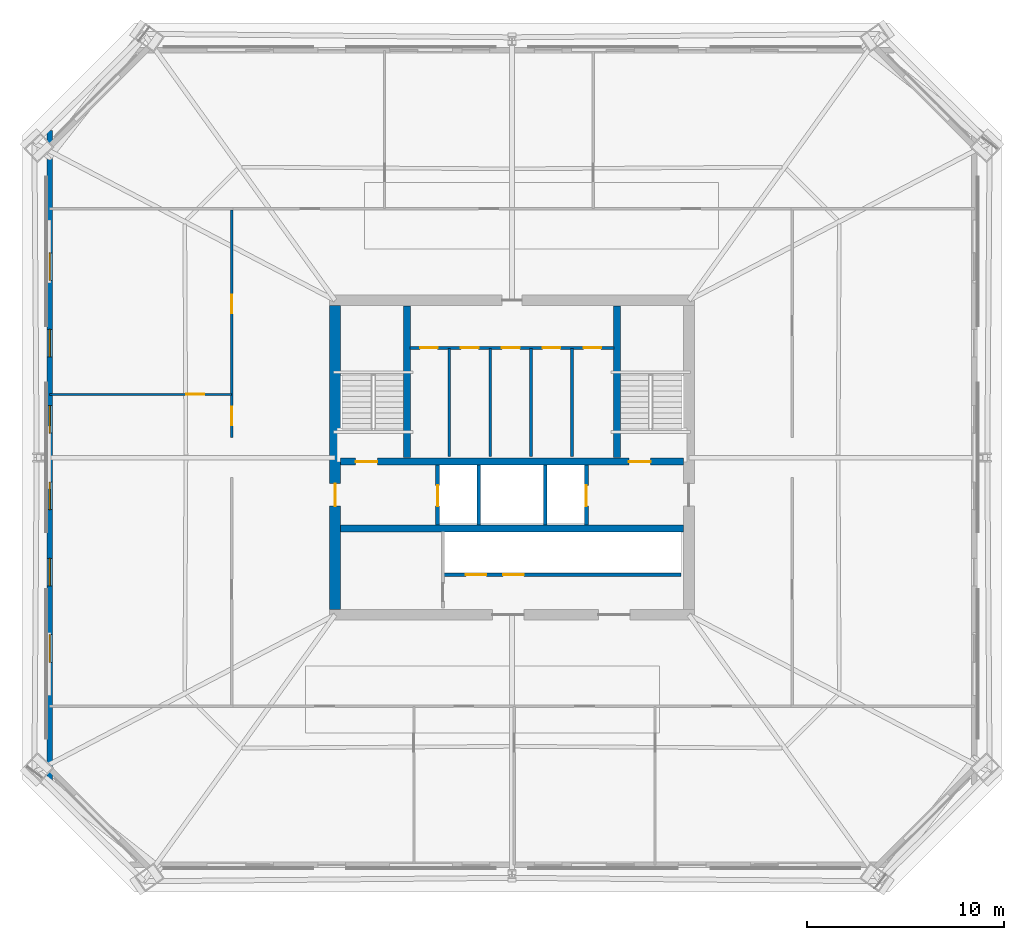
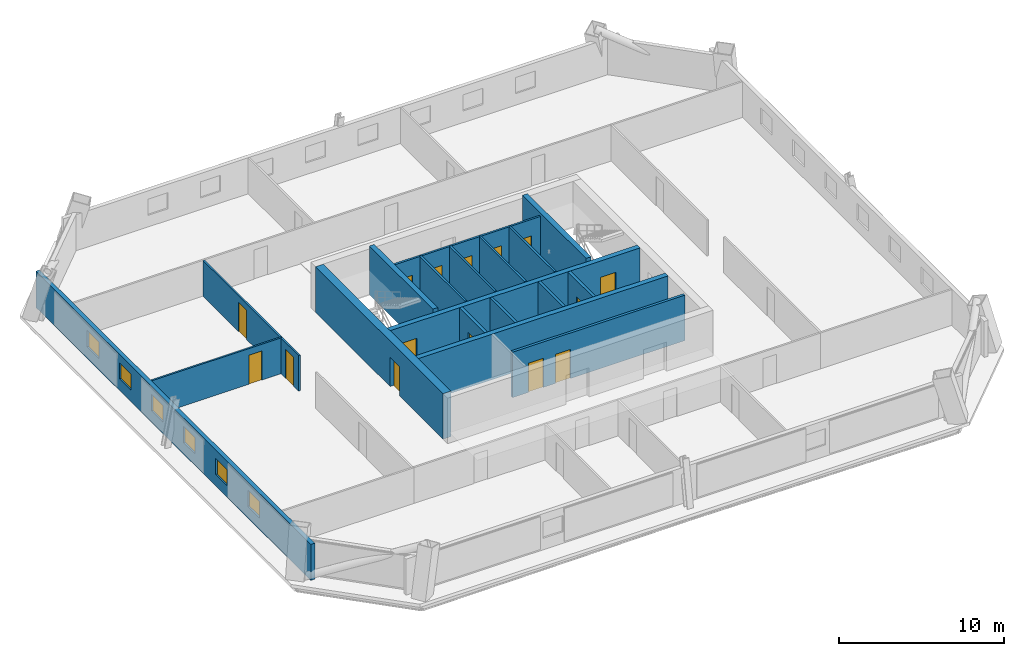
# One storey, part 3 of 7: 18 walls, 15 doors, 6 windows, 21 openings.
"""IFC4 building model written with IfcOpenShell, lengths in metres."""

from ifc_helpers import new_model, si_unit, direction, frame, frame_2d, origin, place, context, subcontext, project, spatial, rectangle, extrude, material, layer, layer_set, type_object, element, fill, save


model = new_model("IFC4")

# Units and contexts
model_context = context("Model", 3, precision=1e-05, world=origin(), true_north=direction((0.0, 1.0)))
body_context = subcontext(model_context, "Body", "Model", "MODEL_VIEW")
ifc_project = project(units=[si_unit("LENGTHUNIT", "METRE"), si_unit("AREAUNIT", "SQUARE_METRE"), si_unit("VOLUMEUNIT", "CUBIC_METRE"), si_unit("PLANEANGLEUNIT", "RADIAN"), si_unit("MASSUNIT", "GRAM", prefix="KILO")], contexts=[model_context])

# Site, building, storey
site_placement = place(None, origin())
site = spatial("IfcSite", under=ifc_project, at=site_placement, CompositionType="ELEMENT")
building_placement = place(site_placement, origin())
building = spatial("IfcBuilding", under=site, at=building_placement, Name="Caelvoria Tower", CompositionType="ELEMENT")
storey_placement = place(building_placement, frame((0.0, 0.0, 102.39990234375)))
storey = spatial("IfcBuildingStorey", under=building, at=storey_placement, Name="L26", CompositionType="ELEMENT", Elevation=102.39990234375)

# Wall, openings, doors
ifc_material_1 = material(Name="Concrete C50/60", Category="concrete")
ifc_layer_1 = layer(ifc_material_1, 0.35009765625, Name="Concrete C50/60")
ifc_layer_set_1 = layer_set([ifc_layer_1], Name="Core Internal Shear Wall 350 - Concrete C50/60")
wall_type_1 = type_object("IfcWallType", Name="Core Internal Shear Wall 350", PredefinedType="SHEAR", material=ifc_layer_set_1)
wall_1_placement = place(storey_placement, frame((37.27490234375, 31.800048828125, 0.0), z_axis=(0.0, 0.0, 1.0), x_axis=(1.0, 0.0, 0.0)))
wall_1 = element("IfcWall", 1, at=wall_1_placement, inside=storey, type_object=wall_type_1, Name="Core Shear Wall L26 M1", PredefinedType="SHEAR", context=body_context, shape_type="SweptSolid", body=[
    extrude(rectangle(XDim=17.4501953125, YDim=0.35009765625, at=frame_2d((8.72509765625, 0.0))), origin(), (0.0, 0.0, 1.0), 3.360107421875),
])
opening_1_placement = place(wall_1_placement, frame((0.77490234375, 0.0, 0.0)))
opening_1 = element("IfcOpeningElement", 2, at=opening_1_placement, cuts=wall_1, Name="Opening ID-01", PredefinedType="OPENING", context=body_context, shape_type="SweptSolid", body=[
    extrude(rectangle(XDim=1.10009765625, YDim=2.14990234375, at=frame_2d((0.550048828125, 1.074951171875))), frame((0.0, 0.18505859375, 0.0), z_axis=(0.0, -1.0, 0.0), x_axis=(1.0, 0.0, 0.0)), (0.0, 0.0, 1.0), 0.3701171875),
])
opening_2_placement = place(wall_1_placement, frame((14.675048828125, 0.0, 0.0)))
opening_2 = element("IfcOpeningElement", 3, at=opening_2_placement, cuts=wall_1, Name="Opening ID-01", PredefinedType="OPENING", context=body_context, shape_type="SweptSolid", body=[
    extrude(rectangle(XDim=1.10009765625, YDim=2.14990234375, at=frame_2d((0.550048828125, 1.074951171875))), frame((0.0, 0.18505859375, 0.0), z_axis=(0.0, -1.0, 0.0), x_axis=(1.0, 0.0, 0.0)), (0.0, 0.0, 1.0), 0.3701171875),
])
ifc_material_2 = material(Name="Painted Hollow Steel Fire Door", Category="steel")
door_type_1 = type_object("IfcDoorType", Name="Fire Door FD90S 1100x2150", OperationType="NOTDEFINED", PredefinedType="DOOR", material=ifc_material_2)
door_1_placement = place(opening_1_placement, origin())
door_1 = element("IfcDoor", 4, at=door_1_placement, inside=storey, type_object=door_type_1, Name="Core Door DR-L26-ST1", OperationType="SINGLE_SWING_LEFT", OverallHeight=2.14990234375, OverallWidth=1.10009765625, PredefinedType="DOOR", context=body_context, shape_type="SweptSolid", body=[
    extrude(rectangle(XDim=1.10009765625, YDim=2.14990234375, at=frame_2d((0.550048828125, 1.074951171875))), frame((0.0, 0.02490234375, 0.0), z_axis=(0.0, -1.0, 0.0), x_axis=(1.0, 0.0, 0.0)), (0.0, 0.0, 1.0), 0.050048828125),
])
fill(opening_1, door_1)
door_2_placement = place(opening_2_placement, origin())
door_2 = element("IfcDoor", 5, at=door_2_placement, inside=storey, type_object=door_type_1, Name="Core Door DR-L26-ST2", OperationType="SINGLE_SWING_RIGHT", OverallHeight=2.14990234375, OverallWidth=1.10009765625, PredefinedType="DOOR", context=body_context, shape_type="SweptSolid", body=[
    extrude(rectangle(XDim=1.10009765625, YDim=2.14990234375, at=frame_2d((0.550048828125, 1.074951171875))), frame((0.0, 0.02490234375, 0.0), z_axis=(0.0, -1.0, 0.0), x_axis=(1.0, 0.0, 0.0)), (0.0, 0.0, 1.0), 0.050048828125),
])
fill(opening_2, door_2)

# Walls
wall_2_placement = place(storey_placement, frame((37.27490234375, 28.39990234375, 0.0), z_axis=(0.0, 0.0, 1.0), x_axis=(1.0, 0.0, 0.0)))
element("IfcWall", 6, at=wall_2_placement, inside=storey, type_object=wall_type_1, Name="Core Shear Wall L26 M2", PredefinedType="SHEAR", context=body_context, shape_type="SweptSolid", body=[
    extrude(rectangle(XDim=17.4501953125, YDim=0.35009765625, at=frame_2d((8.72509765625, 0.0))), origin(), (0.0, 0.0, 1.0), 3.360107421875),
])
for number, where, z_axis, x_axis, name in (
    (7, (40.64990234375, 32.0, 0.0), (0.0, 0.0, 1.0), (0.0, 1.0, 0.0), "Interior Partition IW-L26-ST1E"),
    (8, (51.35009765625, 32.0, 0.0), (0.0, 0.0, 1.0), (0.0, 1.0, 0.0), "Interior Partition IW-L26-ST2W"),
):
    element("IfcWall", number, at=place(storey_placement, frame(where, z_axis=z_axis, x_axis=x_axis)), inside=storey, type_object=wall_type_1, Name=name, PredefinedType="SHEAR", context=body_context, shape_type="SweptSolid", body=[
        extrude(rectangle(XDim=7.699951171875, YDim=0.35009765625, at=frame_2d((3.85009765625, 0.0))), origin(), (0.0, 0.0, 1.0), 3.60009765625),
    ])
ifc_material_3 = material(Name="Moisture-Resistant Gypsum on Steel Stud", Category="steel")
ifc_layer_2 = layer(ifc_material_3, 0.139892578125, Name="Moisture-Resistant Gypsum on Steel Stud")
ifc_layer_set_2 = layer_set([ifc_layer_2], Name="Core Sanitary Acoustic Partition Wall 140 - Moisture-Resistant Gypsum on Steel Stud")
wall_type_2 = type_object("IfcWallType", Name="Core Sanitary Acoustic Partition Wall 140", PredefinedType="PARTITIONING", material=ifc_layer_set_2)
for number, where, z_axis, x_axis, name in (
    (9, (42.81005859375, 32.050048828125, 0.0), (0.0, 0.0, 1.0), (0.0, 1.0, 0.0), "Interior Partition IW-L26-C1V0"),
    (10, (44.889892578125, 32.050048828125, 0.0), (0.0, 0.0, 1.0), (0.0, 1.0, 0.0), "Interior Partition IW-L26-C1V1"),
    (11, (46.969970703125, 32.050048828125, 0.0), (0.0, 0.0, 1.0), (0.0, 1.0, 0.0), "Interior Partition IW-L26-C1V2"),
    (12, (49.050048828125, 32.050048828125, 0.0), (0.0, 0.0, 1.0), (0.0, 1.0, 0.0), "Interior Partition IW-L26-C1V3"),
):
    element("IfcWall", number, at=place(storey_placement, frame(where, z_axis=z_axis, x_axis=x_axis)), inside=storey, type_object=wall_type_2, Name=name, PredefinedType="PARTITIONING", context=body_context, shape_type="SweptSolid", body=[
        extrude(rectangle(XDim=5.5, YDim=0.139892578125, at=frame_2d((2.75, 0.0))), origin(), (0.0, 0.0, 1.0), 3.360107421875),
    ])

# Wall, openings, doors
wall_3_placement = place(storey_placement, frame((40.800048828125, 37.580078125, 0.0), z_axis=(0.0, 0.0, 1.0), x_axis=(1.0, 0.0, 0.0)))
wall_3 = element("IfcWall", 13, at=wall_3_placement, inside=storey, type_object=wall_type_2, Name="Interior Partition IW-L26-C1H", PredefinedType="PARTITIONING", context=body_context, shape_type="SweptSolid", body=[
    extrude(rectangle(XDim=10.39990234375, YDim=0.139892578125, at=frame_2d((5.199951171875, 0.0))), origin(), (0.0, 0.0, 1.0), 3.360107421875),
])
opening_3_placement = place(wall_3_placement, frame((0.52001953125, 0.0, 0.0)))
opening_3 = element("IfcOpeningElement", 14, at=opening_3_placement, cuts=wall_3, Name="Opening ID-06", PredefinedType="OPENING", context=body_context, shape_type="SweptSolid", body=[
    extrude(rectangle(XDim=0.89990234375, YDim=2.14990234375, at=frame_2d((0.449951171875, 1.074951171875))), frame((0.0, 0.079833984375, 0.0), z_axis=(0.0, -1.0, 0.0), x_axis=(1.0, 0.0, 0.0)), (0.0, 0.0, 1.0), 0.159912109375),
])
opening_4_placement = place(wall_3_placement, frame((2.60009765625, 0.0, 0.0)))
opening_4 = element("IfcOpeningElement", 15, at=opening_4_placement, cuts=wall_3, Name="Opening ID-06", PredefinedType="OPENING", context=body_context, shape_type="SweptSolid", body=[
    extrude(rectangle(XDim=0.89990234375, YDim=2.14990234375, at=frame_2d((0.449951171875, 1.074951171875))), frame((0.0, 0.079833984375, 0.0), z_axis=(0.0, -1.0, 0.0), x_axis=(1.0, 0.0, 0.0)), (0.0, 0.0, 1.0), 0.159912109375),
])
opening_5_placement = place(wall_3_placement, frame((4.679931640625, 0.0, 0.0)))
opening_5 = element("IfcOpeningElement", 16, at=opening_5_placement, cuts=wall_3, Name="Opening ID-07", PredefinedType="OPENING", context=body_context, shape_type="SweptSolid", body=[
    extrude(rectangle(XDim=0.919921875, YDim=2.14990234375, at=frame_2d((0.4599609375, 1.074951171875))), frame((0.0, 0.079833984375, 0.0), z_axis=(0.0, -1.0, 0.0), x_axis=(1.0, 0.0, 0.0)), (0.0, 0.0, 1.0), 0.159912109375),
])
opening_6_placement = place(wall_3_placement, frame((6.760009765625, 0.0, 0.0)))
opening_6 = element("IfcOpeningElement", 17, at=opening_6_placement, cuts=wall_3, Name="Opening ID-06", PredefinedType="OPENING", context=body_context, shape_type="SweptSolid", body=[
    extrude(rectangle(XDim=0.89990234375, YDim=2.14990234375, at=frame_2d((0.449951171875, 1.074951171875))), frame((0.0, 0.079833984375, 0.0), z_axis=(0.0, -1.0, 0.0), x_axis=(1.0, 0.0, 0.0)), (0.0, 0.0, 1.0), 0.159912109375),
])
opening_7_placement = place(wall_3_placement, frame((8.840087890625, 0.0, 0.0)))
opening_7 = element("IfcOpeningElement", 18, at=opening_7_placement, cuts=wall_3, Name="Opening ID-06", PredefinedType="OPENING", context=body_context, shape_type="SweptSolid", body=[
    extrude(rectangle(XDim=0.89990234375, YDim=2.14990234375, at=frame_2d((0.449951171875, 1.074951171875))), frame((0.0, 0.079833984375, 0.0), z_axis=(0.0, -1.0, 0.0), x_axis=(1.0, 0.0, 0.0)), (0.0, 0.0, 1.0), 0.159912109375),
])
ifc_material_4 = material(Name="Engineered Andean Oak Accessible Door", Category="wood")
door_type_2 = type_object("IfcDoorType", Name="Accessible WC Door 950x2150", OperationType="NOTDEFINED", PredefinedType="DOOR", material=ifc_material_4)
door_3_placement = place(opening_5_placement, origin())
door_3 = element("IfcDoor", 19, at=door_3_placement, inside=storey, type_object=door_type_2, Name="Interior Door DR-L26-C1-3", OperationType="SINGLE_SWING_LEFT", OverallHeight=2.14990234375, OverallWidth=0.919921875, PredefinedType="DOOR", context=body_context, shape_type="SweptSolid", body=[
    extrude(rectangle(XDim=0.919921875, YDim=2.14990234375, at=frame_2d((0.4599609375, 1.074951171875))), frame((0.0, 0.02490234375, 0.0), z_axis=(0.0, -1.0, 0.0), x_axis=(1.0, 0.0, 0.0)), (0.0, 0.0, 1.0), 0.050048828125),
])
fill(opening_5, door_3)
ifc_material_5 = material(Name="Engineered Andean Oak Veneer Door", Category="wood")
door_type_3 = type_object("IfcDoorType", Name="Interior Timber Door 900x2150", OperationType="NOTDEFINED", PredefinedType="DOOR", material=ifc_material_5)
door_4_placement = place(opening_3_placement, origin())
door_4 = element("IfcDoor", 20, at=door_4_placement, inside=storey, type_object=door_type_3, Name="Interior Door DR-L26-C1-1", OperationType="SINGLE_SWING_LEFT", OverallHeight=2.14990234375, OverallWidth=0.89990234375, PredefinedType="DOOR", context=body_context, shape_type="SweptSolid", body=[
    extrude(rectangle(XDim=0.89990234375, YDim=2.14990234375, at=frame_2d((0.449951171875, 1.074951171875))), frame((0.0, 0.02490234375, 0.0), z_axis=(0.0, -1.0, 0.0), x_axis=(1.0, 0.0, 0.0)), (0.0, 0.0, 1.0), 0.050048828125),
])
fill(opening_3, door_4)
door_5_placement = place(opening_4_placement, origin())
door_5 = element("IfcDoor", 21, at=door_5_placement, inside=storey, type_object=door_type_3, Name="Interior Door DR-L26-C1-2", OperationType="SINGLE_SWING_RIGHT", OverallHeight=2.14990234375, OverallWidth=0.89990234375, PredefinedType="DOOR", context=body_context, shape_type="SweptSolid", body=[
    extrude(rectangle(XDim=0.89990234375, YDim=2.14990234375, at=frame_2d((0.449951171875, 1.074951171875))), frame((0.0, 0.02490234375, 0.0), z_axis=(0.0, -1.0, 0.0), x_axis=(1.0, 0.0, 0.0)), (0.0, 0.0, 1.0), 0.050048828125),
])
fill(opening_4, door_5)
door_6_placement = place(opening_6_placement, origin())
door_6 = element("IfcDoor", 22, at=door_6_placement, inside=storey, type_object=door_type_3, Name="Interior Door DR-L26-C1-4", OperationType="SINGLE_SWING_RIGHT", OverallHeight=2.14990234375, OverallWidth=0.89990234375, PredefinedType="DOOR", context=body_context, shape_type="SweptSolid", body=[
    extrude(rectangle(XDim=0.89990234375, YDim=2.14990234375, at=frame_2d((0.449951171875, 1.074951171875))), frame((0.0, 0.02490234375, 0.0), z_axis=(0.0, -1.0, 0.0), x_axis=(1.0, 0.0, 0.0)), (0.0, 0.0, 1.0), 0.050048828125),
])
fill(opening_6, door_6)
door_7_placement = place(opening_7_placement, origin())
door_7 = element("IfcDoor", 23, at=door_7_placement, inside=storey, type_object=door_type_3, Name="Interior Door DR-L26-C1-5", OperationType="SINGLE_SWING_LEFT", OverallHeight=2.14990234375, OverallWidth=0.89990234375, PredefinedType="DOOR", context=body_context, shape_type="SweptSolid", body=[
    extrude(rectangle(XDim=0.89990234375, YDim=2.14990234375, at=frame_2d((0.449951171875, 1.074951171875))), frame((0.0, 0.02490234375, 0.0), z_axis=(0.0, -1.0, 0.0), x_axis=(1.0, 0.0, 0.0)), (0.0, 0.0, 1.0), 0.050048828125),
])
fill(opening_7, door_7)

# Wall, openings, windows
ifc_material_6 = material(Name="Precast Concrete C40/50 with Bronze Cladding", Category="concrete")
ifc_layer_3 = layer(ifc_material_6, 0.280029296875, Name="Precast Concrete C40/50 with Bronze Cladding")
ifc_layer_set_3 = layer_set([ifc_layer_3], Name="Exterior Precast Concrete C40/50 Bronze-Clad Facade Wall 280 - Precast Concrete C40/50 with Bronze Cladding")
wall_type_3 = type_object("IfcWallType", Name="Exterior Precast Concrete C40/50 Bronze-Clad Facade Wall 280", PredefinedType="STANDARD", material=ifc_layer_set_3)
wall_4_placement = place(storey_placement, frame((22.47998046875, 48.639892578125, 0.0), z_axis=(0.0, 0.0, 1.0), x_axis=(0.0, -1.0, 0.0)))
wall_4 = element("IfcWall", 24, at=wall_4_placement, inside=storey, type_object=wall_type_3, Name="Exterior Facade Wall L26-E6", PredefinedType="STANDARD", context=body_context, shape_type="SweptSolid", body=[
    extrude(rectangle(XDim=33.27978515625, YDim=0.280029296875, at=frame_2d((16.639892578125, 0.0))), origin(), (0.0, 0.0, 1.0), 2.662109375),
])
opening_8_placement = place(wall_4_placement, frame((6.2275390625, 0.0, 0.85009765625)))
opening_8 = element("IfcOpeningElement", 25, at=opening_8_placement, cuts=wall_4, Name="Opening WN-06", PredefinedType="OPENING", context=body_context, shape_type="SweptSolid", body=[
    extrude(rectangle(XDim=1.39990234375, YDim=1.199951171875, at=frame_2d((0.699951171875, 0.60009765625))), frame((0.0, 0.14990234375, 0.0), z_axis=(0.0, -1.0, 0.0), x_axis=(1.0, 0.0, 0.0)), (0.0, 0.0, 1.0), 0.300048828125),
])
opening_9_placement = place(wall_4_placement, frame((10.112548828125, 0.0, 0.85009765625)))
opening_9 = element("IfcOpeningElement", 26, at=opening_9_placement, cuts=wall_4, Name="Opening WN-06", PredefinedType="OPENING", context=body_context, shape_type="SweptSolid", body=[
    extrude(rectangle(XDim=1.39990234375, YDim=1.199951171875, at=frame_2d((0.699951171875, 0.60009765625))), frame((0.0, 0.14990234375, 0.0), z_axis=(0.0, -1.0, 0.0), x_axis=(1.0, 0.0, 0.0)), (0.0, 0.0, 1.0), 0.300048828125),
])
opening_10_placement = place(wall_4_placement, frame((13.99755859375, 0.0, 0.85009765625)))
opening_10 = element("IfcOpeningElement", 27, at=opening_10_placement, cuts=wall_4, Name="Opening WN-06", PredefinedType="OPENING", context=body_context, shape_type="SweptSolid", body=[
    extrude(rectangle(XDim=1.39990234375, YDim=1.199951171875, at=frame_2d((0.699951171875, 0.60009765625))), frame((0.0, 0.14990234375, 0.0), z_axis=(0.0, -1.0, 0.0), x_axis=(1.0, 0.0, 0.0)), (0.0, 0.0, 1.0), 0.300048828125),
])
opening_11_placement = place(wall_4_placement, frame((17.882568359375, 0.0, 0.85009765625)))
opening_11 = element("IfcOpeningElement", 28, at=opening_11_placement, cuts=wall_4, Name="Opening WN-06", PredefinedType="OPENING", context=body_context, shape_type="SweptSolid", body=[
    extrude(rectangle(XDim=1.39990234375, YDim=1.199951171875, at=frame_2d((0.699951171875, 0.60009765625))), frame((0.0, 0.14990234375, 0.0), z_axis=(0.0, -1.0, 0.0), x_axis=(1.0, 0.0, 0.0)), (0.0, 0.0, 1.0), 0.300048828125),
])
opening_12_placement = place(wall_4_placement, frame((21.767578125, 0.0, 0.85009765625)))
opening_12 = element("IfcOpeningElement", 29, at=opening_12_placement, cuts=wall_4, Name="Opening WN-06", PredefinedType="OPENING", context=body_context, shape_type="SweptSolid", body=[
    extrude(rectangle(XDim=1.39990234375, YDim=1.199951171875, at=frame_2d((0.699951171875, 0.60009765625))), frame((0.0, 0.14990234375, 0.0), z_axis=(0.0, -1.0, 0.0), x_axis=(1.0, 0.0, 0.0)), (0.0, 0.0, 1.0), 0.300048828125),
])
opening_13_placement = place(wall_4_placement, frame((25.652587890625, 0.0, 0.85009765625)))
opening_13 = element("IfcOpeningElement", 30, at=opening_13_placement, cuts=wall_4, Name="Opening WN-06", PredefinedType="OPENING", context=body_context, shape_type="SweptSolid", body=[
    extrude(rectangle(XDim=1.39990234375, YDim=1.199951171875, at=frame_2d((0.699951171875, 0.60009765625))), frame((0.0, 0.14990234375, 0.0), z_axis=(0.0, -1.0, 0.0), x_axis=(1.0, 0.0, 0.0)), (0.0, 0.0, 1.0), 0.300048828125),
])
ifc_material_7 = material(Name="Low-E Tinted Glass in Bronze Aluminium Frame", Category="aluminium")
window_type = type_object("IfcWindowType", Name="Podium Clerestory Window 1400x1200", PartitioningType="SINGLE_PANEL", PredefinedType="WINDOW", material=ifc_material_7)
window_1_placement = place(opening_8_placement, origin())
window_1 = element("IfcWindow", 31, at=window_1_placement, inside=storey, type_object=window_type, Name="Facade Window L26-E6-01", OverallHeight=1.199951171875, OverallWidth=1.39990234375, PartitioningType="SINGLE_PANEL", PredefinedType="WINDOW", context=body_context, shape_type="SweptSolid", body=[
    extrude(rectangle(XDim=1.39990234375, YDim=1.199951171875, at=frame_2d((0.699951171875, 0.60009765625))), frame((0.0, 0.030029296875, 0.0), z_axis=(0.0, -1.0, 0.0), x_axis=(1.0, 0.0, 0.0)), (0.0, 0.0, 1.0), 0.06005859375),
])
fill(opening_8, window_1)
window_2_placement = place(opening_9_placement, origin())
window_2 = element("IfcWindow", 32, at=window_2_placement, inside=storey, type_object=window_type, Name="Facade Window L26-E6-02", OverallHeight=1.199951171875, OverallWidth=1.39990234375, PartitioningType="SINGLE_PANEL", PredefinedType="WINDOW", context=body_context, shape_type="SweptSolid", body=[
    extrude(rectangle(XDim=1.39990234375, YDim=1.199951171875, at=frame_2d((0.699951171875, 0.60009765625))), frame((0.0, 0.030029296875, 0.0), z_axis=(0.0, -1.0, 0.0), x_axis=(1.0, 0.0, 0.0)), (0.0, 0.0, 1.0), 0.06005859375),
])
fill(opening_9, window_2)
window_3_placement = place(opening_10_placement, origin())
window_3 = element("IfcWindow", 33, at=window_3_placement, inside=storey, type_object=window_type, Name="Facade Window L26-E6-03", OverallHeight=1.199951171875, OverallWidth=1.39990234375, PartitioningType="SINGLE_PANEL", PredefinedType="WINDOW", context=body_context, shape_type="SweptSolid", body=[
    extrude(rectangle(XDim=1.39990234375, YDim=1.199951171875, at=frame_2d((0.699951171875, 0.60009765625))), frame((0.0, 0.030029296875, 0.0), z_axis=(0.0, -1.0, 0.0), x_axis=(1.0, 0.0, 0.0)), (0.0, 0.0, 1.0), 0.06005859375),
])
fill(opening_10, window_3)
window_4_placement = place(opening_11_placement, origin())
window_4 = element("IfcWindow", 34, at=window_4_placement, inside=storey, type_object=window_type, Name="Facade Window L26-E6-04", OverallHeight=1.199951171875, OverallWidth=1.39990234375, PartitioningType="SINGLE_PANEL", PredefinedType="WINDOW", context=body_context, shape_type="SweptSolid", body=[
    extrude(rectangle(XDim=1.39990234375, YDim=1.199951171875, at=frame_2d((0.699951171875, 0.60009765625))), frame((0.0, 0.030029296875, 0.0), z_axis=(0.0, -1.0, 0.0), x_axis=(1.0, 0.0, 0.0)), (0.0, 0.0, 1.0), 0.06005859375),
])
fill(opening_11, window_4)
window_5_placement = place(opening_12_placement, origin())
window_5 = element("IfcWindow", 35, at=window_5_placement, inside=storey, type_object=window_type, Name="Facade Window L26-E6-05", OverallHeight=1.199951171875, OverallWidth=1.39990234375, PartitioningType="SINGLE_PANEL", PredefinedType="WINDOW", context=body_context, shape_type="SweptSolid", body=[
    extrude(rectangle(XDim=1.39990234375, YDim=1.199951171875, at=frame_2d((0.699951171875, 0.60009765625))), frame((0.0, 0.030029296875, 0.0), z_axis=(0.0, -1.0, 0.0), x_axis=(1.0, 0.0, 0.0)), (0.0, 0.0, 1.0), 0.06005859375),
])
fill(opening_12, window_5)
window_6_placement = place(opening_13_placement, origin())
window_6 = element("IfcWindow", 36, at=window_6_placement, inside=storey, type_object=window_type, Name="Facade Window L26-E6-06", OverallHeight=1.199951171875, OverallWidth=1.39990234375, PartitioningType="SINGLE_PANEL", PredefinedType="WINDOW", context=body_context, shape_type="SweptSolid", body=[
    extrude(rectangle(XDim=1.39990234375, YDim=1.199951171875, at=frame_2d((0.699951171875, 0.60009765625))), frame((0.0, 0.030029296875, 0.0), z_axis=(0.0, -1.0, 0.0), x_axis=(1.0, 0.0, 0.0)), (0.0, 0.0, 1.0), 0.06005859375),
])
fill(opening_13, window_6)

# Walls
ifc_material_8 = material(Name="Concrete Block and Fireboard Assembly", Category="concrete")
ifc_layer_4 = layer(ifc_material_8, 0.179931640625, Name="Concrete Block and Fireboard Assembly")
ifc_layer_set_4 = layer_set([ifc_layer_4], Name="Fire-Rated Hoistway Partition Wall 180 - Concrete Block and Fireboard Assembly")
wall_type_4 = type_object("IfcWallType", Name="Fire-Rated Hoistway Partition Wall 180", PredefinedType="PARTITIONING", material=ifc_layer_set_4)
for number, where, z_axis, x_axis, name in (
    (37, (44.320068359375, 28.580078125, 0.0), (0.0, 0.0, 1.0), (0.0, 1.0, 0.0), "Interior Partition IW-L26-SV1W"),
    (38, (47.679931640625, 28.580078125, 0.0), (0.0, 0.0, 1.0), (0.0, 1.0, 0.0), "Interior Partition IW-L26-SV1E"),
):
    element("IfcWall", number, at=place(storey_placement, frame(where, z_axis=z_axis, x_axis=x_axis)), inside=storey, type_object=wall_type_4, Name=name, PredefinedType="PARTITIONING", context=body_context, shape_type="SweptSolid", body=[
        extrude(rectangle(XDim=3.0400390625, YDim=0.179931640625, at=frame_2d((1.52001953125, 0.0))), origin(), (0.0, 0.0, 1.0), 3.360107421875),
    ])

# Wall, openings, doors
wall_5_placement = place(storey_placement, frame((42.550048828125, 26.050048828125, 0.0), z_axis=(0.0, 0.0, 1.0), x_axis=(1.0, 0.0, 0.0)))
wall_5 = element("IfcWall", 39, at=wall_5_placement, inside=storey, type_object=wall_type_4, Name="Interior Partition IW-L26-LFRONT", PredefinedType="PARTITIONING", context=body_context, shape_type="SweptSolid", body=[
    extrude(rectangle(XDim=12.050048828125, YDim=0.179931640625, at=frame_2d((6.02490234375, 0.0))), origin(), (0.0, 0.0, 1.0), 3.360107421875),
])
opening_14_placement = place(wall_5_placement, frame((1.10009765625, 0.0, 0.0)))
opening_14 = element("IfcOpeningElement", 40, at=opening_14_placement, cuts=wall_5, Name="Opening LD-01", PredefinedType="OPENING", context=body_context, shape_type="SweptSolid", body=[
    extrude(rectangle(XDim=1.050048828125, YDim=2.14990234375, at=frame_2d((0.52490234375, 1.074951171875))), frame((0.0, 0.099853515625, 0.0), z_axis=(0.0, -1.0, 0.0), x_axis=(1.0, 0.0, 0.0)), (0.0, 0.0, 1.0), 0.199951171875),
])
opening_15_placement = place(wall_5_placement, frame((3.0, 0.0, 0.0)))
opening_15 = element("IfcOpeningElement", 41, at=opening_15_placement, cuts=wall_5, Name="Opening LD-01", PredefinedType="OPENING", context=body_context, shape_type="SweptSolid", body=[
    extrude(rectangle(XDim=1.050048828125, YDim=2.14990234375, at=frame_2d((0.52490234375, 1.074951171875))), frame((0.0, 0.099853515625, 0.0), z_axis=(0.0, -1.0, 0.0), x_axis=(1.0, 0.0, 0.0)), (0.0, 0.0, 1.0), 0.199951171875),
])
ifc_material_9 = material(Name="Brushed Bronze Stainless Sliding Landing Door", Category="aluminium")
door_type_4 = type_object("IfcDoorType", Name="Lift Landing Sliding Door 1100x2150", OperationType="NOTDEFINED", PredefinedType="DOOR", material=ifc_material_9)
door_8_placement = place(opening_14_placement, origin())
door_8 = element("IfcDoor", 42, at=door_8_placement, inside=storey, type_object=door_type_4, Name="Interior Door LD-L26-PM1", OperationType="SLIDING_TO_LEFT", OverallHeight=2.14990234375, OverallWidth=1.050048828125, PredefinedType="DOOR", context=body_context, shape_type="SweptSolid", body=[
    extrude(rectangle(XDim=1.050048828125, YDim=2.14990234375, at=frame_2d((0.52490234375, 1.074951171875))), frame((0.0, 0.02490234375, 0.0), z_axis=(0.0, -1.0, 0.0), x_axis=(1.0, 0.0, 0.0)), (0.0, 0.0, 1.0), 0.050048828125),
])
fill(opening_14, door_8)
door_9_placement = place(opening_15_placement, origin())
door_9 = element("IfcDoor", 43, at=door_9_placement, inside=storey, type_object=door_type_4, Name="Interior Door LD-L26-PM2", OperationType="SLIDING_TO_RIGHT", OverallHeight=2.14990234375, OverallWidth=1.050048828125, PredefinedType="DOOR", context=body_context, shape_type="SweptSolid", body=[
    extrude(rectangle(XDim=1.050048828125, YDim=2.14990234375, at=frame_2d((0.52490234375, 1.074951171875))), frame((0.0, 0.02490234375, 0.0), z_axis=(0.0, -1.0, 0.0), x_axis=(1.0, 0.0, 0.0)), (0.0, 0.0, 1.0), 0.050048828125),
])
fill(opening_15, door_9)

# Wall, opening, door
ifc_layer_5 = layer(ifc_material_8, 0.199951171875, Name="Concrete Block and Fireboard Assembly")
ifc_layer_set_5 = layer_set([ifc_layer_5], Name="Fire-Rated Shaft and Core Partition Wall 200 - Concrete Block and Fireboard Assembly")
wall_type_5 = type_object("IfcWallType", Name="Fire-Rated Shaft and Core Partition Wall 200", PredefinedType="PARTITIONING", material=ifc_layer_set_5)
wall_6_placement = place(storey_placement, frame((42.219970703125, 28.580078125, 0.0), z_axis=(0.0, 0.0, 1.0), x_axis=(0.0, 1.0, 0.0)))
wall_6 = element("IfcWall", 44, at=wall_6_placement, inside=storey, type_object=wall_type_5, Name="Interior Partition IW-L26-LF1W", PredefinedType="PARTITIONING", context=body_context, shape_type="SweptSolid", body=[
    extrude(rectangle(XDim=3.0400390625, YDim=0.199951171875, at=frame_2d((1.52001953125, 0.0))), origin(), (0.0, 0.0, 1.0), 3.360107421875),
])
opening_16_placement = place(wall_6_placement, frame((0.949951171875, 0.0, 0.0)))
opening_16 = element("IfcOpeningElement", 45, at=opening_16_placement, cuts=wall_6, Name="Opening LD-01", PredefinedType="OPENING", context=body_context, shape_type="SweptSolid", body=[
    extrude(rectangle(XDim=1.050048828125, YDim=2.14990234375, at=frame_2d((0.52490234375, 1.074951171875))), frame((0.0, 0.10986328125, 0.0), z_axis=(0.0, -1.0, 0.0), x_axis=(1.0, 0.0, 0.0)), (0.0, 0.0, 1.0), 0.219970703125),
])
door_10_placement = place(opening_16_placement, origin())
door_10 = element("IfcDoor", 46, at=door_10_placement, inside=storey, type_object=door_type_4, Name="Interior Door LD-L26-LF1", OperationType="SLIDING_TO_LEFT", OverallHeight=2.14990234375, OverallWidth=1.050048828125, PredefinedType="DOOR", context=body_context, shape_type="SweptSolid", body=[
    extrude(rectangle(XDim=1.050048828125, YDim=2.14990234375, at=frame_2d((0.52490234375, 1.074951171875))), frame((0.0, 0.02490234375, 0.0), z_axis=(0.0, -1.0, 0.0), x_axis=(1.0, 0.0, 0.0)), (0.0, 0.0, 1.0), 0.050048828125),
])
fill(opening_16, door_10)

wall_7_placement = place(storey_placement, frame((49.780029296875, 28.580078125, 0.0), z_axis=(0.0, 0.0, 1.0), x_axis=(0.0, 1.0, 0.0)))
wall_7 = element("IfcWall", 47, at=wall_7_placement, inside=storey, type_object=wall_type_5, Name="Interior Partition IW-L26-LF2E", PredefinedType="PARTITIONING", context=body_context, shape_type="SweptSolid", body=[
    extrude(rectangle(XDim=3.0400390625, YDim=0.199951171875, at=frame_2d((1.52001953125, 0.0))), origin(), (0.0, 0.0, 1.0), 3.360107421875),
])
opening_17_placement = place(wall_7_placement, frame((0.949951171875, 0.0, 0.0)))
opening_17 = element("IfcOpeningElement", 48, at=opening_17_placement, cuts=wall_7, Name="Opening LD-01", PredefinedType="OPENING", context=body_context, shape_type="SweptSolid", body=[
    extrude(rectangle(XDim=1.050048828125, YDim=2.14990234375, at=frame_2d((0.52490234375, 1.074951171875))), frame((0.0, 0.10986328125, 0.0), z_axis=(0.0, -1.0, 0.0), x_axis=(1.0, 0.0, 0.0)), (0.0, 0.0, 1.0), 0.219970703125),
])
door_11_placement = place(opening_17_placement, origin())
door_11 = element("IfcDoor", 49, at=door_11_placement, inside=storey, type_object=door_type_4, Name="Interior Door LD-L26-LF2", OperationType="SLIDING_TO_RIGHT", OverallHeight=2.14990234375, OverallWidth=1.050048828125, PredefinedType="DOOR", context=body_context, shape_type="SweptSolid", body=[
    extrude(rectangle(XDim=1.050048828125, YDim=2.14990234375, at=frame_2d((0.52490234375, 1.074951171875))), frame((0.0, 0.02490234375, 0.0), z_axis=(0.0, -1.0, 0.0), x_axis=(1.0, 0.0, 0.0)), (0.0, 0.0, 1.0), 0.050048828125),
])
fill(opening_17, door_11)

ifc_material_10 = material(Name="Concrete C55/67", Category="concrete")
ifc_layer_6 = layer(ifc_material_10, 0.550048828125, Name="Concrete C55/67")
ifc_layer_set_6 = layer_set([ifc_layer_6], Name="Mid Core Shear Wall 550 - Concrete C55/67")
wall_type_6 = type_object("IfcWallType", Name="Mid Core Shear Wall 550", PredefinedType="SHEAR", material=ifc_layer_set_6)
wall_8_placement = place(storey_placement, frame((37.0, 24.27490234375, 0.0), z_axis=(0.0, 0.0, 1.0), x_axis=(0.0, 1.0, 0.0)))
wall_8 = element("IfcWall", 50, at=wall_8_placement, inside=storey, type_object=wall_type_6, Name="Core Shear Wall L26 W", PredefinedType="SHEAR", context=body_context, shape_type="SweptSolid", body=[
    extrude(rectangle(XDim=15.4501953125, YDim=0.550048828125, at=frame_2d((7.72509765625, 0.0))), origin(), (0.0, 0.0, 1.0), 3.360107421875),
])
opening_18_placement = place(wall_8_placement, frame((5.25, 0.0, 0.0)))
opening_18 = element("IfcOpeningElement", 51, at=opening_18_placement, cuts=wall_8, Name="Opening ID-02", PredefinedType="OPENING", context=body_context, shape_type="SweptSolid", body=[
    extrude(rectangle(XDim=1.14990234375, YDim=2.14990234375, at=frame_2d((0.574951171875, 1.074951171875))), frame((0.0, 0.284912109375, 0.0), z_axis=(0.0, -1.0, 0.0), x_axis=(1.0, 0.0, 0.0)), (0.0, 0.0, 1.0), 0.570068359375),
])
door_type_5 = type_object("IfcDoorType", Name="Fire Door FD60S 1150x2150", OperationType="NOTDEFINED", PredefinedType="DOOR", material=ifc_material_2)
door_12_placement = place(opening_18_placement, origin())
door_12 = element("IfcDoor", 52, at=door_12_placement, inside=storey, type_object=door_type_5, Name="Core Door DR-L26-FFLW-OUT", OperationType="SINGLE_SWING_LEFT", OverallHeight=2.14990234375, OverallWidth=1.14990234375, PredefinedType="DOOR", context=body_context, shape_type="SweptSolid", body=[
    extrude(rectangle(XDim=1.14990234375, YDim=2.14990234375, at=frame_2d((0.574951171875, 1.074951171875))), frame((0.0, 0.02490234375, 0.0), z_axis=(0.0, -1.0, 0.0), x_axis=(1.0, 0.0, 0.0)), (0.0, 0.0, 1.0), 0.050048828125),
])
fill(opening_18, door_12)

ifc_material_11 = material(Name="Acoustic Gypsum Board on Light-Gauge Stud", Category="gypsum")
ifc_layer_7 = layer(ifc_material_11, 0.1201171875, Name="Acoustic Gypsum Board on Light-Gauge Stud")
ifc_layer_set_7 = layer_set([ifc_layer_7], Name="Tenant Suite Acoustic Partition Wall 120 - Acoustic Gypsum Board on Light-Gauge Stud")
wall_type_7 = type_object("IfcWallType", Name="Tenant Suite Acoustic Partition Wall 120", PredefinedType="PARTITIONING", material=ifc_layer_set_7)
wall_9_placement = place(storey_placement, frame((31.739990234375, 35.212646484375, 0.0), z_axis=(0.0, 0.0, 1.0), x_axis=(-1.0, 0.0, 0.0)))
wall_9 = element("IfcWall", 53, at=wall_9_placement, inside=storey, type_object=wall_type_7, Name="Interior Partition IW-L26-WD-00-0", PredefinedType="PARTITIONING", context=body_context, shape_type="SweptSolid", body=[
    extrude(rectangle(XDim=9.260009765625, YDim=0.1201171875, at=frame_2d((4.6298828125, 0.0))), origin(), (0.0, 0.0, 1.0), 2.64013671875),
])
opening_19_placement = place(wall_9_placement, frame((1.39990234375, 0.0, 0.0)))
opening_19 = element("IfcOpeningElement", 54, at=opening_19_placement, cuts=wall_9, Name="Opening ID-06", PredefinedType="OPENING", context=body_context, shape_type="SweptSolid", body=[
    extrude(rectangle(XDim=0.89990234375, YDim=2.14990234375, at=frame_2d((0.449951171875, 1.074951171875))), frame((0.0, 0.070068359375, 0.0), z_axis=(0.0, -1.0, 0.0), x_axis=(1.0, 0.0, 0.0)), (0.0, 0.0, 1.0), 0.14013671875),
])
door_13_placement = place(opening_19_placement, origin())
door_13 = element("IfcDoor", 55, at=door_13_placement, inside=storey, type_object=door_type_3, Name="Interior Door DR-L26-WM-00-0", OperationType="SINGLE_SWING_RIGHT", OverallHeight=2.14990234375, OverallWidth=0.89990234375, PredefinedType="DOOR", context=body_context, shape_type="SweptSolid", body=[
    extrude(rectangle(XDim=0.89990234375, YDim=2.14990234375, at=frame_2d((0.449951171875, 1.074951171875))), frame((0.0, 0.02490234375, 0.0), z_axis=(0.0, -1.0, 0.0), x_axis=(1.0, 0.0, 0.0)), (0.0, 0.0, 1.0), 0.050048828125),
])
fill(opening_19, door_13)

# Wall, openings, doors
wall_10_placement = place(storey_placement, frame((31.739990234375, 33.02001953125, 0.0), z_axis=(0.0, 0.0, 1.0), x_axis=(0.0, 1.0, 0.0)))
wall_10 = element("IfcWall", 56, at=wall_10_placement, inside=storey, type_object=wall_type_7, Name="Interior Partition IW-L26-WCW-1", PredefinedType="PARTITIONING", context=body_context, shape_type="SweptSolid", body=[
    extrude(rectangle(XDim=11.580078125, YDim=0.1201171875, at=frame_2d((5.7900390625, 0.0))), origin(), (0.0, 0.0, 1.0), 2.64013671875),
])
opening_20_placement = place(wall_10_placement, frame((0.621337890625, 0.0, 0.0)))
opening_20 = element("IfcOpeningElement", 57, at=opening_20_placement, cuts=wall_10, Name="Opening ID-05", PredefinedType="OPENING", context=body_context, shape_type="SweptSolid", body=[
    extrude(rectangle(XDim=0.949951171875, YDim=2.14990234375, at=frame_2d((0.47509765625, 1.074951171875))), frame((0.0, 0.070068359375, 0.0), z_axis=(0.0, -1.0, 0.0), x_axis=(1.0, 0.0, 0.0)), (0.0, 0.0, 1.0), 0.14013671875),
])
opening_21_placement = place(wall_10_placement, frame((6.311279296875, 0.0, 0.0)))
opening_21 = element("IfcOpeningElement", 58, at=opening_21_placement, cuts=wall_10, Name="Opening ID-05", PredefinedType="OPENING", context=body_context, shape_type="SweptSolid", body=[
    extrude(rectangle(XDim=0.949951171875, YDim=2.14990234375, at=frame_2d((0.47509765625, 1.074951171875))), frame((0.0, 0.070068359375, 0.0), z_axis=(0.0, -1.0, 0.0), x_axis=(1.0, 0.0, 0.0)), (0.0, 0.0, 1.0), 0.14013671875),
])
door_type_6 = type_object("IfcDoorType", Name="Interior Timber Door 950x2150", OperationType="NOTDEFINED", PredefinedType="DOOR", material=ifc_material_5)
door_14_placement = place(opening_20_placement, origin())
door_14 = element("IfcDoor", 59, at=door_14_placement, inside=storey, type_object=door_type_6, Name="Interior Door DR-L26-WC-00-0", OperationType="SINGLE_SWING_LEFT", OverallHeight=2.14990234375, OverallWidth=0.949951171875, PredefinedType="DOOR", context=body_context, shape_type="SweptSolid", body=[
    extrude(rectangle(XDim=0.949951171875, YDim=2.14990234375, at=frame_2d((0.47509765625, 1.074951171875))), frame((0.0, 0.02490234375, 0.0), z_axis=(0.0, -1.0, 0.0), x_axis=(1.0, 0.0, 0.0)), (0.0, 0.0, 1.0), 0.050048828125),
])
fill(opening_20, door_14)
door_15_placement = place(opening_21_placement, origin())
door_15 = element("IfcDoor", 60, at=door_15_placement, inside=storey, type_object=door_type_6, Name="Interior Door DR-L26-WC-01-0", OperationType="SINGLE_SWING_RIGHT", OverallHeight=2.14990234375, OverallWidth=0.949951171875, PredefinedType="DOOR", context=body_context, shape_type="SweptSolid", body=[
    extrude(rectangle(XDim=0.949951171875, YDim=2.14990234375, at=frame_2d((0.47509765625, 1.074951171875))), frame((0.0, 0.02490234375, 0.0), z_axis=(0.0, -1.0, 0.0), x_axis=(1.0, 0.0, 0.0)), (0.0, 0.0, 1.0), 0.050048828125),
])
fill(opening_21, door_15)

save(model, "model.ifc")
